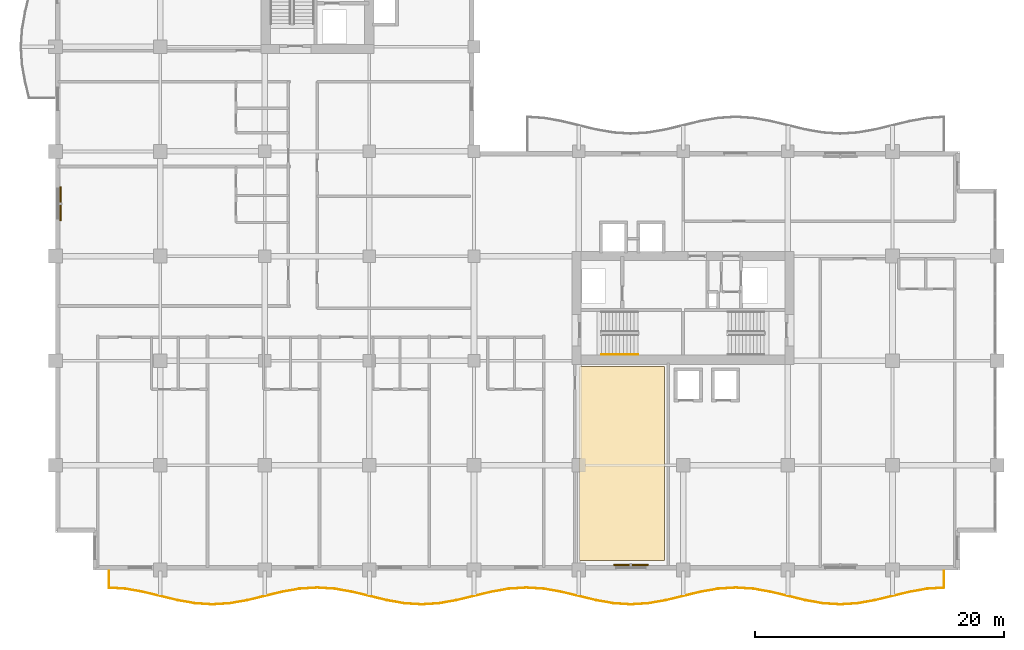
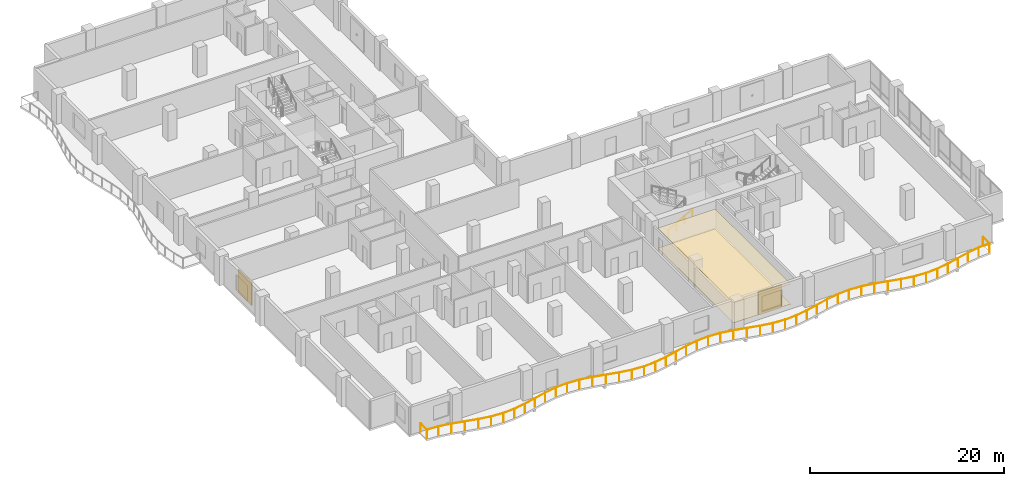
# One storey, part 19 of 22: 2 coverings, 2 railings, 2 shading devices.
"""IFC4 building model written with IfcOpenShell, lengths in metres."""

from ifc_helpers import new_model, si_unit, direction, frame, origin, origin_2d, place, context, subcontext, project, spatial, polyline, rectangle, circle, outline, extrude, material, layer, layer_set, type_object, element, save


model = new_model("IFC4")

# Units and contexts
model_context = context("Model", 3, precision=1e-05, world=origin(), true_north=direction((0.0, 1.0)))
body_context = subcontext(model_context, "Body", "Model", "MODEL_VIEW")
ifc_project = project(units=[si_unit("LENGTHUNIT", "METRE"), si_unit("AREAUNIT", "SQUARE_METRE"), si_unit("VOLUMEUNIT", "CUBIC_METRE"), si_unit("PLANEANGLEUNIT", "RADIAN"), si_unit("MASSUNIT", "GRAM", prefix="KILO")], contexts=[model_context])

# Site, building, storey
site_placement = place(None, origin())
site = spatial("IfcSite", under=ifc_project, at=site_placement, CompositionType="ELEMENT")
building_placement = place(site_placement, origin())
building = spatial("IfcBuilding", under=site, at=building_placement, Name="Koriwani Terraces Tower", CompositionType="ELEMENT")
storey_placement = place(building_placement, frame((0.0, 0.0, 168.0)))
storey = spatial("IfcBuildingStorey", under=building, at=storey_placement, Name="L40", CompositionType="ELEMENT", Elevation=168.0)

# Coverings
ifc_material_1 = material(Name="Fire-Rated Acoustic Gypsum Partition", Category="masonry")
ifc_layer_1 = layer(ifc_material_1, 0.02490234375, Name="Fire-Rated Acoustic Gypsum Partition")
ifc_layer_set_1 = layer_set([ifc_layer_1], Name="Fire-Rated Acoustic Gypsum Partition")
covering_type_1 = type_object("IfcCoveringType", Name="CEILING_ACOUSTIC_GYPSUM", PredefinedType="CEILING", material=ifc_layer_set_1)
covering_1_placement = place(storey_placement, frame((0.0, 0.0, 2.52490234375)))
element("IfcCovering", 1, at=covering_1_placement, inside=storey, type_object=covering_type_1, Name="L40 Suspended Acoustic Gypsum Ceiling", PredefinedType="CEILING", context=body_context, shape_type="SweptSolid", body=[
    extrude(outline(polyline([(42.050048828125, 0.75), (42.050048828125, 16.35009765625), (48.89990234375, 16.35009765625), (48.89990234375, 0.75), (42.050048828125, 0.75)])), origin(), (0.0, 0.0, 1.0), 0.025146484375),
])
ifc_material_2 = material(Name="Polished Andean Slate Flooring", Category="masonry")
ifc_layer_2 = layer(ifc_material_2, 0.030029296875, Name="Polished Andean Slate Flooring")
ifc_layer_set_2 = layer_set([ifc_layer_2], Name="Polished Andean Slate Flooring")
covering_type_2 = type_object("IfcCoveringType", Name="FLOORING_ANDEAN_STONE", PredefinedType="FLOORING", material=ifc_layer_set_2)
covering_2_placement = place(storey_placement, origin())
element("IfcCovering", 2, at=covering_2_placement, inside=storey, type_object=covering_type_2, Name="L40 Polished Andean Slate Floor Finish", PredefinedType="FLOORING", context=body_context, shape_type="SweptSolid", body=[
    extrude(outline(polyline([(42.050048828125, 0.75), (42.050048828125, 16.35009765625), (48.89990234375, 16.35009765625), (48.89990234375, 0.75), (42.050048828125, 0.75)])), origin(), (0.0, 0.0, 1.0), 0.030029296875),
])

# Railings
ifc_material_3 = material(Name="Steel ASTM A572 Grade 50", Category="steel")
railing_type_1 = type_object("IfcRailingType", Name="GUARD_BALUSTRADE_1150", PredefinedType="BALUSTRADE", material=ifc_material_3)
railing_1_placement = place(storey_placement, frame((4.280029296875, -0.080078125, 0.0)))
element("IfcRailing", 3, at=railing_1_placement, inside=storey, type_object=railing_type_1, Name="L40 Balcony Perimeter Safety Balustrade (S)", PredefinedType="BALUSTRADE", context=body_context, shape_type="SweptSolid", body=[
    extrude(circle(Radius=0.02392578125, at=origin_2d()), frame((0.0, 0.0, 1.1259765625), z_axis=(0.0, -1.0, 0.0), x_axis=(1.0, 0.0, 0.0)), (0.0, 0.0, 1.0), 1.344970703125),
    extrude(circle(Radius=0.02392578125, at=origin_2d()), frame((0.0, -1.344970703125, 1.1259765625), z_axis=(0.997917706639, -0.064500006011, 0.0), x_axis=(0.064500006011, 0.997917706639, 0.0)), (0.0, 0.0, 1.0), 1.332275390625),
    extrude(circle(Radius=0.02392578125, at=origin_2d()), frame((1.32958984375, -1.430908203125, 1.1259765625), z_axis=(0.984778396698, -0.173814583381, 0.0), x_axis=(0.173814583381, 0.984778396698, 0.0)), (0.0, 0.0, 1.0), 1.428466796875),
    extrude(circle(Radius=0.02392578125, at=origin_2d()), frame((2.736328125, -1.67919921875, 1.1259765625), z_axis=(0.972166814785, -0.234289744186, 0.0), x_axis=(0.234289744186, 0.972166814785, 0.0)), (0.0, 0.0, 1.0), 2.880126953125),
    extrude(circle(Radius=0.02392578125, at=origin_2d()), frame((5.536376953125, -2.35400390625, 1.1259765625), z_axis=(0.984757491153, -0.173932985997, 0.0), x_axis=(0.173932985997, 0.984757491153, 0.0)), (0.0, 0.0, 1.0), 1.414794921875),
    extrude(circle(Radius=0.02392578125, at=origin_2d()), frame((6.9296875, -2.60009765625, 1.1259765625), z_axis=(0.997930027485, -0.064309099225, 0.0), x_axis=(0.064309099225, 0.997930027485, 0.0)), (0.0, 0.0, 1.0), 1.393310546875),
    extrude(circle(Radius=0.02392578125, at=origin_2d()), frame((8.320068359375, -2.689697265625, 1.1259765625), z_axis=(0.997930027485, 0.064309099225, 0.0), x_axis=(-0.064309099225, 0.997930027485, 0.0)), (0.0, 0.0, 1.0), 1.393310546875),
    extrude(circle(Radius=0.02392578125, at=origin_2d()), frame((9.71044921875, -2.60009765625, 1.1259765625), z_axis=(0.984757491153, 0.173932985997, 0.0), x_axis=(-0.173932985997, 0.984757491153, 0.0)), (0.0, 0.0, 1.0), 1.414794921875),
    extrude(circle(Radius=0.02392578125, at=origin_2d()), frame((11.103759765625, -2.35400390625, 1.1259765625), z_axis=(0.97216216133, 0.234309052487, 0.0), x_axis=(-0.234309052487, 0.97216216133, 0.0)), (0.0, 0.0, 1.0), 2.8798828125),
    extrude(circle(Radius=0.02392578125, at=origin_2d()), frame((13.903564453125, -1.67919921875, 1.1259765625), z_axis=(0.984783558818, 0.173785333909, 0.0), x_axis=(-0.173785333909, 0.984783558818, 0.0)), (0.0, 0.0, 1.0), 1.4287109375),
    extrude(circle(Radius=0.02392578125, at=origin_2d()), frame((15.310546875, -1.430908203125, 1.1259765625), z_axis=(0.997930321615, 0.064304534842, 0.0), x_axis=(-0.064304534842, 0.997930321615, 0.0)), (0.0, 0.0, 1.0), 1.412353515625),
    extrude(circle(Radius=0.02392578125, at=origin_2d()), frame((16.719970703125, -1.340087890625, 1.1259765625), z_axis=(0.997930321615, -0.064304534842, 0.0), x_axis=(0.064304534842, 0.997930321615, 0.0)), (0.0, 0.0, 1.0), 1.412353515625),
    extrude(circle(Radius=0.02392578125, at=origin_2d()), frame((18.12939453125, -1.430908203125, 1.1259765625), z_axis=(0.984783558818, -0.173785333909, 0.0), x_axis=(0.173785333909, 0.984783558818, 0.0)), (0.0, 0.0, 1.0), 1.4287109375),
    extrude(circle(Radius=0.02392578125, at=origin_2d()), frame((19.536376953125, -1.67919921875, 1.1259765625), z_axis=(0.97216216133, -0.234309052487, 0.0), x_axis=(0.234309052487, 0.97216216133, 0.0)), (0.0, 0.0, 1.0), 2.8798828125),
    extrude(circle(Radius=0.02392578125, at=origin_2d()), frame((22.336181640625, -2.35400390625, 1.1259765625), z_axis=(0.984757491153, -0.173932985997, 0.0), x_axis=(0.173932985997, 0.984757491153, 0.0)), (0.0, 0.0, 1.0), 1.414794921875),
    extrude(circle(Radius=0.02392578125, at=origin_2d()), frame((23.7294921875, -2.60009765625, 1.1259765625), z_axis=(0.997930027485, -0.064309099225, 0.0), x_axis=(0.064309099225, 0.997930027485, 0.0)), (0.0, 0.0, 1.0), 1.393310546875),
    extrude(circle(Radius=0.02392578125, at=origin_2d()), frame((25.119873046875, -2.689697265625, 1.1259765625), z_axis=(0.997930027485, 0.064309099225, 0.0), x_axis=(-0.064309099225, 0.997930027485, 0.0)), (0.0, 0.0, 1.0), 1.393310546875),
    extrude(circle(Radius=0.02392578125, at=origin_2d()), frame((26.51025390625, -2.60009765625, 1.1259765625), z_axis=(0.984757491153, 0.173932985997, 0.0), x_axis=(-0.173932985997, 0.984757491153, 0.0)), (0.0, 0.0, 1.0), 1.414794921875),
    extrude(circle(Radius=0.02392578125, at=origin_2d()), frame((27.903564453125, -2.35400390625, 1.1259765625), z_axis=(0.972166814785, 0.234289744186, 0.0), x_axis=(-0.234289744186, 0.972166814785, 0.0)), (0.0, 0.0, 1.0), 2.880126953125),
    extrude(circle(Radius=0.02392578125, at=origin_2d()), frame((30.70361328125, -1.67919921875, 1.1259765625), z_axis=(0.984778396698, 0.173814583381, 0.0), x_axis=(-0.173814583381, 0.984778396698, 0.0)), (0.0, 0.0, 1.0), 1.428466796875),
    extrude(circle(Radius=0.02392578125, at=origin_2d()), frame((32.1103515625, -1.430908203125, 1.1259765625), z_axis=(0.997931036226, 0.064293443969, 0.0), x_axis=(-0.064293443969, 0.997931036226, 0.0)), (0.0, 0.0, 1.0), 1.41259765625),
    extrude(circle(Radius=0.02392578125, at=origin_2d()), frame((33.52001953125, -1.340087890625, 1.1259765625), z_axis=(0.997930321615, -0.064304534842, 0.0), x_axis=(0.064304534842, 0.997930321615, 0.0)), (0.0, 0.0, 1.0), 1.412353515625),
    extrude(circle(Radius=0.02392578125, at=origin_2d()), frame((34.929443359375, -1.430908203125, 1.1259765625), z_axis=(0.984778396698, -0.173814583381, 0.0), x_axis=(0.173814583381, 0.984778396698, 0.0)), (0.0, 0.0, 1.0), 1.428466796875),
    extrude(circle(Radius=0.02392578125, at=origin_2d()), frame((36.336181640625, -1.67919921875, 1.1259765625), z_axis=(0.972166814785, -0.234289744186, 0.0), x_axis=(0.234289744186, 0.972166814785, 0.0)), (0.0, 0.0, 1.0), 2.880126953125),
    extrude(circle(Radius=0.02392578125, at=origin_2d()), frame((39.13623046875, -2.35400390625, 1.1259765625), z_axis=(0.984757491153, -0.173932985997, 0.0), x_axis=(0.173932985997, 0.984757491153, 0.0)), (0.0, 0.0, 1.0), 1.414794921875),
    extrude(circle(Radius=0.02392578125, at=origin_2d()), frame((40.529541015625, -2.60009765625, 1.1259765625), z_axis=(0.997930027485, -0.064309099225, 0.0), x_axis=(0.064309099225, 0.997930027485, 0.0)), (0.0, 0.0, 1.0), 1.393310546875),
    extrude(circle(Radius=0.02392578125, at=origin_2d()), frame((41.919921875, -2.689697265625, 1.1259765625), z_axis=(0.997930027485, 0.064309099225, 0.0), x_axis=(-0.064309099225, 0.997930027485, 0.0)), (0.0, 0.0, 1.0), 1.393310546875),
    extrude(circle(Radius=0.02392578125, at=origin_2d()), frame((43.310302734375, -2.60009765625, 1.1259765625), z_axis=(0.984757491153, 0.173932985997, 0.0), x_axis=(-0.173932985997, 0.984757491153, 0.0)), (0.0, 0.0, 1.0), 1.414794921875),
    extrude(circle(Radius=0.02392578125, at=origin_2d()), frame((44.70361328125, -2.35400390625, 1.1259765625), z_axis=(0.972166814785, 0.234289744186, 0.0), x_axis=(-0.234289744186, 0.972166814785, 0.0)), (0.0, 0.0, 1.0), 2.880126953125),
    extrude(circle(Radius=0.02392578125, at=origin_2d()), frame((47.503662109375, -1.67919921875, 1.1259765625), z_axis=(0.984778396698, 0.173814583381, 0.0), x_axis=(-0.173814583381, 0.984778396698, 0.0)), (0.0, 0.0, 1.0), 1.428466796875),
    extrude(circle(Radius=0.02392578125, at=origin_2d()), frame((48.910400390625, -1.430908203125, 1.1259765625), z_axis=(0.997931036226, 0.064293443969, 0.0), x_axis=(-0.064293443969, 0.997931036226, 0.0)), (0.0, 0.0, 1.0), 1.41259765625),
    extrude(circle(Radius=0.02392578125, at=origin_2d()), frame((50.320068359375, -1.340087890625, 1.1259765625), z_axis=(0.997930321615, -0.064304534842, 0.0), x_axis=(0.064304534842, 0.997930321615, 0.0)), (0.0, 0.0, 1.0), 1.412353515625),
    extrude(circle(Radius=0.02392578125, at=origin_2d()), frame((51.7294921875, -1.430908203125, 1.1259765625), z_axis=(0.984778396698, -0.173814583381, 0.0), x_axis=(0.173814583381, 0.984778396698, 0.0)), (0.0, 0.0, 1.0), 1.428466796875),
    extrude(circle(Radius=0.02392578125, at=origin_2d()), frame((53.13623046875, -1.67919921875, 1.1259765625), z_axis=(0.972166814785, -0.234289744186, 0.0), x_axis=(0.234289744186, 0.972166814785, 0.0)), (0.0, 0.0, 1.0), 2.880126953125),
    extrude(circle(Radius=0.02392578125, at=origin_2d()), frame((55.936279296875, -2.35400390625, 1.1259765625), z_axis=(0.984757491153, -0.173932985997, 0.0), x_axis=(0.173932985997, 0.984757491153, 0.0)), (0.0, 0.0, 1.0), 1.414794921875),
    extrude(circle(Radius=0.02392578125, at=origin_2d()), frame((57.32958984375, -2.60009765625, 1.1259765625), z_axis=(0.997930027485, -0.064309099225, 0.0), x_axis=(0.064309099225, 0.997930027485, 0.0)), (0.0, 0.0, 1.0), 1.393310546875),
    extrude(circle(Radius=0.02392578125, at=origin_2d()), frame((58.719970703125, -2.689697265625, 1.1259765625), z_axis=(0.997930027485, 0.064309099225, 0.0), x_axis=(-0.064309099225, 0.997930027485, 0.0)), (0.0, 0.0, 1.0), 1.393310546875),
    extrude(circle(Radius=0.02392578125, at=origin_2d()), frame((60.1103515625, -2.60009765625, 1.1259765625), z_axis=(0.984757491153, 0.173932985997, 0.0), x_axis=(-0.173932985997, 0.984757491153, 0.0)), (0.0, 0.0, 1.0), 1.414794921875),
    extrude(circle(Radius=0.02392578125, at=origin_2d()), frame((61.503662109375, -2.35400390625, 1.1259765625), z_axis=(0.972166814785, 0.234289744186, 0.0), x_axis=(-0.234289744186, 0.972166814785, 0.0)), (0.0, 0.0, 1.0), 2.880126953125),
    extrude(circle(Radius=0.02392578125, at=origin_2d()), frame((64.3037109375, -1.67919921875, 1.1259765625), z_axis=(0.984778396698, 0.173814583381, 0.0), x_axis=(-0.173814583381, 0.984778396698, 0.0)), (0.0, 0.0, 1.0), 1.428466796875),
    extrude(circle(Radius=0.02392578125, at=origin_2d()), frame((65.71044921875, -1.430908203125, 1.1259765625), z_axis=(0.997917706639, 0.064500006011, 0.0), x_axis=(-0.064500006011, 0.997917706639, 0.0)), (0.0, 0.0, 1.0), 1.332275390625),
    extrude(circle(Radius=0.02392578125, at=origin_2d()), frame((67.0400390625, -1.344970703125, 1.1259765625), z_axis=(0.0, 1.0, 0.0), x_axis=(-1.0, 0.0, 0.0)), (0.0, 0.0, 1.0), 1.344970703125),
    extrude(circle(Radius=0.02099609375, at=origin_2d()), origin(), (0.0, 0.0, 1.0), 1.101806640625),
    extrude(circle(Radius=0.02099609375, at=origin_2d()), frame((0.0, -1.344970703125, 0.0)), (0.0, 0.0, 1.0), 1.101806640625),
    extrude(circle(Radius=0.02099609375, at=origin_2d()), frame((1.32958984375, -1.430908203125, 0.0)), (0.0, 0.0, 1.0), 1.101806640625),
    extrude(circle(Radius=0.02099609375, at=origin_2d()), frame((2.736328125, -1.67919921875, 0.0)), (0.0, 0.0, 1.0), 1.101806640625),
    extrude(circle(Radius=0.02099609375, at=origin_2d()), frame((4.13623046875, -2.0166015625, 0.0)), (0.0, 0.0, 1.0), 1.101806640625),
    extrude(circle(Radius=0.02099609375, at=origin_2d()), frame((5.536376953125, -2.35400390625, 0.0)), (0.0, 0.0, 1.0), 1.101806640625),
    extrude(circle(Radius=0.02099609375, at=origin_2d()), frame((6.9296875, -2.60009765625, 0.0)), (0.0, 0.0, 1.0), 1.101806640625),
    extrude(circle(Radius=0.02099609375, at=origin_2d()), frame((8.320068359375, -2.689697265625, 0.0)), (0.0, 0.0, 1.0), 1.101806640625),
    extrude(circle(Radius=0.02099609375, at=origin_2d()), frame((9.71044921875, -2.60009765625, 0.0)), (0.0, 0.0, 1.0), 1.101806640625),
    extrude(circle(Radius=0.02099609375, at=origin_2d()), frame((11.103759765625, -2.35400390625, 0.0)), (0.0, 0.0, 1.0), 1.101806640625),
    extrude(circle(Radius=0.02099609375, at=origin_2d()), frame((12.503662109375, -2.0166015625, 0.0)), (0.0, 0.0, 1.0), 1.101806640625),
    extrude(circle(Radius=0.02099609375, at=origin_2d()), frame((13.903564453125, -1.67919921875, 0.0)), (0.0, 0.0, 1.0), 1.101806640625),
    extrude(circle(Radius=0.02099609375, at=origin_2d()), frame((15.310546875, -1.430908203125, 0.0)), (0.0, 0.0, 1.0), 1.101806640625),
    extrude(circle(Radius=0.02099609375, at=origin_2d()), frame((16.719970703125, -1.340087890625, 0.0)), (0.0, 0.0, 1.0), 1.101806640625),
    extrude(circle(Radius=0.02099609375, at=origin_2d()), frame((18.12939453125, -1.430908203125, 0.0)), (0.0, 0.0, 1.0), 1.101806640625),
    extrude(circle(Radius=0.02099609375, at=origin_2d()), frame((19.536376953125, -1.67919921875, 0.0)), (0.0, 0.0, 1.0), 1.101806640625),
    extrude(circle(Radius=0.02099609375, at=origin_2d()), frame((20.936279296875, -2.0166015625, 0.0)), (0.0, 0.0, 1.0), 1.101806640625),
    extrude(circle(Radius=0.02099609375, at=origin_2d()), frame((22.336181640625, -2.35400390625, 0.0)), (0.0, 0.0, 1.0), 1.101806640625),
    extrude(circle(Radius=0.02099609375, at=origin_2d()), frame((23.7294921875, -2.60009765625, 0.0)), (0.0, 0.0, 1.0), 1.101806640625),
    extrude(circle(Radius=0.02099609375, at=origin_2d()), frame((25.119873046875, -2.689697265625, 0.0)), (0.0, 0.0, 1.0), 1.101806640625),
    extrude(circle(Radius=0.02099609375, at=origin_2d()), frame((26.51025390625, -2.60009765625, 0.0)), (0.0, 0.0, 1.0), 1.101806640625),
    extrude(circle(Radius=0.02099609375, at=origin_2d()), frame((27.903564453125, -2.35400390625, 0.0)), (0.0, 0.0, 1.0), 1.101806640625),
    extrude(circle(Radius=0.02099609375, at=origin_2d()), frame((29.3037109375, -2.0166015625, 0.0)), (0.0, 0.0, 1.0), 1.101806640625),
    extrude(circle(Radius=0.02099609375, at=origin_2d()), frame((30.70361328125, -1.67919921875, 0.0)), (0.0, 0.0, 1.0), 1.101806640625),
    extrude(circle(Radius=0.02099609375, at=origin_2d()), frame((32.1103515625, -1.430908203125, 0.0)), (0.0, 0.0, 1.0), 1.101806640625),
    extrude(circle(Radius=0.02099609375, at=origin_2d()), frame((33.52001953125, -1.340087890625, 0.0)), (0.0, 0.0, 1.0), 1.101806640625),
    extrude(circle(Radius=0.02099609375, at=origin_2d()), frame((34.929443359375, -1.430908203125, 0.0)), (0.0, 0.0, 1.0), 1.101806640625),
    extrude(circle(Radius=0.02099609375, at=origin_2d()), frame((36.336181640625, -1.67919921875, 0.0)), (0.0, 0.0, 1.0), 1.101806640625),
    extrude(circle(Radius=0.02099609375, at=origin_2d()), frame((37.736328125, -2.0166015625, 0.0)), (0.0, 0.0, 1.0), 1.101806640625),
    extrude(circle(Radius=0.02099609375, at=origin_2d()), frame((39.13623046875, -2.35400390625, 0.0)), (0.0, 0.0, 1.0), 1.101806640625),
    extrude(circle(Radius=0.02099609375, at=origin_2d()), frame((40.529541015625, -2.60009765625, 0.0)), (0.0, 0.0, 1.0), 1.101806640625),
    extrude(circle(Radius=0.02099609375, at=origin_2d()), frame((41.919921875, -2.689697265625, 0.0)), (0.0, 0.0, 1.0), 1.101806640625),
    extrude(circle(Radius=0.02099609375, at=origin_2d()), frame((43.310302734375, -2.60009765625, 0.0)), (0.0, 0.0, 1.0), 1.101806640625),
    extrude(circle(Radius=0.02099609375, at=origin_2d()), frame((44.70361328125, -2.35400390625, 0.0)), (0.0, 0.0, 1.0), 1.101806640625),
    extrude(circle(Radius=0.02099609375, at=origin_2d()), frame((46.103515625, -2.0166015625, 0.0)), (0.0, 0.0, 1.0), 1.101806640625),
    extrude(circle(Radius=0.02099609375, at=origin_2d()), frame((47.503662109375, -1.67919921875, 0.0)), (0.0, 0.0, 1.0), 1.101806640625),
    extrude(circle(Radius=0.02099609375, at=origin_2d()), frame((48.910400390625, -1.430908203125, 0.0)), (0.0, 0.0, 1.0), 1.101806640625),
    extrude(circle(Radius=0.02099609375, at=origin_2d()), frame((50.320068359375, -1.340087890625, 0.0)), (0.0, 0.0, 1.0), 1.101806640625),
    extrude(circle(Radius=0.02099609375, at=origin_2d()), frame((51.7294921875, -1.430908203125, 0.0)), (0.0, 0.0, 1.0), 1.101806640625),
    extrude(circle(Radius=0.02099609375, at=origin_2d()), frame((53.13623046875, -1.67919921875, 0.0)), (0.0, 0.0, 1.0), 1.101806640625),
    extrude(circle(Radius=0.02099609375, at=origin_2d()), frame((54.5361328125, -2.0166015625, 0.0)), (0.0, 0.0, 1.0), 1.101806640625),
    extrude(circle(Radius=0.02099609375, at=origin_2d()), frame((55.936279296875, -2.35400390625, 0.0)), (0.0, 0.0, 1.0), 1.101806640625),
    extrude(circle(Radius=0.02099609375, at=origin_2d()), frame((57.32958984375, -2.60009765625, 0.0)), (0.0, 0.0, 1.0), 1.101806640625),
    extrude(circle(Radius=0.02099609375, at=origin_2d()), frame((58.719970703125, -2.689697265625, 0.0)), (0.0, 0.0, 1.0), 1.101806640625),
    extrude(circle(Radius=0.02099609375, at=origin_2d()), frame((60.1103515625, -2.60009765625, 0.0)), (0.0, 0.0, 1.0), 1.101806640625),
    extrude(circle(Radius=0.02099609375, at=origin_2d()), frame((61.503662109375, -2.35400390625, 0.0)), (0.0, 0.0, 1.0), 1.101806640625),
    extrude(circle(Radius=0.02099609375, at=origin_2d()), frame((62.90380859375, -2.0166015625, 0.0)), (0.0, 0.0, 1.0), 1.101806640625),
    extrude(circle(Radius=0.02099609375, at=origin_2d()), frame((64.3037109375, -1.67919921875, 0.0)), (0.0, 0.0, 1.0), 1.101806640625),
    extrude(circle(Radius=0.02099609375, at=origin_2d()), frame((65.71044921875, -1.430908203125, 0.0)), (0.0, 0.0, 1.0), 1.101806640625),
    extrude(circle(Radius=0.02099609375, at=origin_2d()), frame((67.0400390625, -1.344970703125, 0.0)), (0.0, 0.0, 1.0), 1.101806640625),
    extrude(circle(Radius=0.02099609375, at=origin_2d()), frame((67.0400390625, 0.0, 0.0)), (0.0, 0.0, 1.0), 1.101806640625),
])
railing_type_2 = type_object("IfcRailingType", Name="HANDRAIL_STAIR_920", PredefinedType="HANDRAIL", material=ifc_material_3)
railing_2_placement = place(storey_placement, frame((43.85009765625, 17.300048828125, 0.168212890625)))
element("IfcRailing", 4, at=railing_2_placement, inside=storey, type_object=railing_type_2, Name="L40 ST-E1 stair handrail 1", PredefinedType="HANDRAIL", context=body_context, shape_type="SweptSolid", body=[
    extrude(circle(Radius=0.02392578125, at=origin_2d()), frame((0.0, 0.0, 0.8759765625), z_axis=(0.865038774852, 0.0, 0.501705010941), x_axis=(0.0, 1.0, 0.0)), (0.0, 0.0, 1.0), 3.352294921875),
    extrude(circle(Radius=0.02099609375, at=origin_2d()), origin(), (0.0, 0.0, 1.0), 0.851806640625),
    extrude(circle(Radius=0.02099609375, at=origin_2d()), frame((0.966552734375, 0.0, 0.560546875)), (0.0, 0.0, 1.0), 0.851806640625),
    extrude(circle(Radius=0.02099609375, at=origin_2d()), frame((1.933349609375, 0.0, 1.121337890625)), (0.0, 0.0, 1.0), 0.851806640625),
    extrude(circle(Radius=0.02099609375, at=origin_2d()), frame((2.89990234375, 0.0, 1.681884765625)), (0.0, 0.0, 1.0), 0.851806640625),
])

# Shading devices
ifc_material_4 = material(Name="Extruded Terracotta Clay", Category="masonry")
ifc_layer_3 = layer(ifc_material_4, 0.1201171875, Name="Extruded Terracotta Clay")
ifc_layer_set_3 = layer_set([ifc_layer_3], Name="Extruded Terracotta Clay")
shading_device_type = type_object("IfcShadingDeviceType", Name="TERRACOTTA_BAGUETTE_SCREEN_2800", PredefinedType="USERDEFINED", material=ifc_layer_set_3)
for number, where, z_axis, x_axis, name in (
    (5, (0.405029296875, 29.39990234375, 0.28515625), (0.0, 0.0, 1.0), (0.0, 1.0, 0.0), "L40 Extruded Terracotta Baguette Screen (W-9)"),
    (6, (46.199951171875, 0.405029296875, 0.28515625), (0.0, 0.0, 1.0), (-1.0, 0.0, 0.0), "L40 Extruded Terracotta Baguette Screen (S-15)"),
):
    element("IfcShadingDevice", number, at=place(storey_placement, frame(where, z_axis=z_axis, x_axis=x_axis)), inside=storey, type_object=shading_device_type, Name=name, ObjectType="BAGUETTE", PredefinedType="USERDEFINED", context=body_context, shape_type="SweptSolid", body=[
        extrude(rectangle(XDim=2.760009765625, YDim=0.1201171875, at=origin_2d()), origin(), (0.0, 0.0, 1.0), 2.89990234375),
    ])

save(model, "model.ifc")
